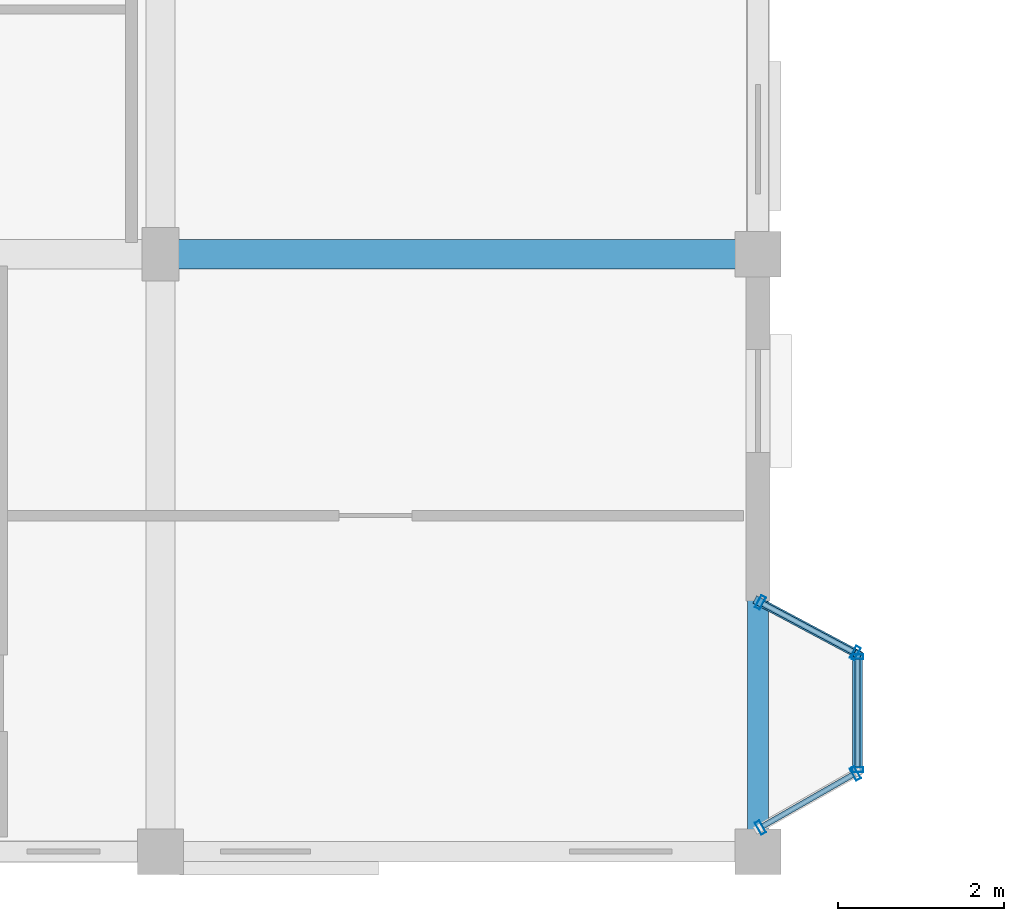
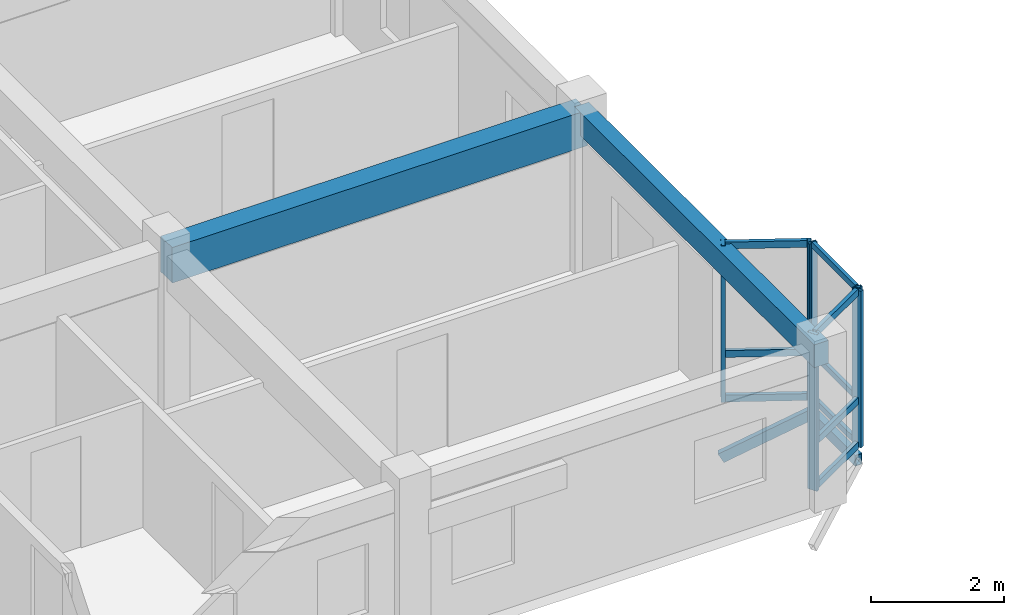
# One storey, part 6 of 77: 17 members, 2 beams, 3 elements without a shape of their own.
"""IFC4 building model written with IfcOpenShell, lengths in metres."""

from ifc_helpers import new_model, si_unit, direction, frame, origin, origin_2d, place, context, subcontext, project, spatial, rectangle, hollow_rectangle, extrude, material, layer, layer_set, material_profile, profile_set, type_object, element, aggregate, save


model = new_model("IFC4")

# Units and contexts
model_context = context("Model", 3, precision=1e-05, world=origin(), true_north=direction((0.0, 1.0)))
body_context = subcontext(model_context, "Body", "Model", "MODEL_VIEW")
ifc_project = project(units=[si_unit("LENGTHUNIT", "METRE"), si_unit("AREAUNIT", "SQUARE_METRE"), si_unit("VOLUMEUNIT", "CUBIC_METRE"), si_unit("PLANEANGLEUNIT", "RADIAN"), si_unit("MASSUNIT", "GRAM", prefix="KILO"), si_unit("THERMODYNAMICTEMPERATUREUNIT", "KELVIN"), si_unit("POWERUNIT", "WATT")], contexts=[model_context])

# Site, building, storey
site_placement = place(None, origin())
site = spatial("IfcSite", under=ifc_project, at=site_placement, CompositionType="ELEMENT")
building_placement = place(site_placement, origin())
building = spatial("IfcBuilding", under=site, at=building_placement, Name="Tavuni Mirador Residences", CompositionType="ELEMENT")
storey_placement = place(building_placement, frame((0.0, 0.0, 10.800048828125)))
storey = spatial("IfcBuildingStorey", under=building, at=storey_placement, Name="L03", CompositionType="ELEMENT", Elevation=10.800048828125)

# Beams
ifc_material_1 = material(Name="Precast concrete C40/50", Category="concrete")
ifc_material_profile_1 = material_profile(ifc_material_1, rectangle(XDim=0.35009765625, YDim=0.64990234375, at=origin_2d()), Name="PC 350x650", Category="concrete")
ifc_profile_set_1 = profile_set([ifc_material_profile_1], Name="Precast concrete C40/50")
beam_type_1 = type_object("IfcBeamType", Name="BT-B650", PredefinedType="BEAM", material=ifc_profile_set_1)
beam_1_placement = place(storey_placement, frame((25.199951171875, 14.39990234375, 2.544921875), z_axis=(1.0, 0.0, 0.0), x_axis=(0.0, 1.0, 0.0)))
element("IfcBeam", 1, at=beam_1_placement, inside=storey, type_object=beam_type_1, Name="BMX-BLK-A-L03-03-01", PredefinedType="BEAM", context=body_context, shape_type="SweptSolid", body=[
    extrude(rectangle(XDim=0.35009765625, YDim=0.64990234375, at=origin_2d()), origin(), (0.0, 0.0, 1.0), 7.199951171875),
])
ifc_material_profile_2 = material_profile(ifc_material_1, rectangle(XDim=0.25, YDim=0.419921875, at=origin_2d()), Name="PC 250x420", Category="concrete")
ifc_profile_set_2 = profile_set([ifc_material_profile_2], Name="Precast concrete C40/50")
beam_type_2 = type_object("IfcBeamType", Name="BT-SP420", PredefinedType="SPANDREL", material=ifc_profile_set_2)
beam_2_placement = place(storey_placement, frame((32.39990234375, 7.199951171875, 2.659912109375), z_axis=(0.0, 1.0, 0.0), x_axis=(-1.0, 0.0, 0.0)))
element("IfcBeam", 2, at=beam_2_placement, inside=storey, type_object=beam_type_2, Name="BMY-BLK-A-L03-04-00", PredefinedType="SPANDREL", context=body_context, shape_type="SweptSolid", body=[
    extrude(rectangle(XDim=0.25, YDim=0.419921875, at=origin_2d()), origin(), (0.0, 0.0, 1.0), 7.199951171875),
])

# Curtain wall, members
ifc_material_2 = material(Name="Anodised aluminium", Category="aluminium")
ifc_layer_1 = layer(ifc_material_2, 0.175048828125, Name="Anodised aluminium", Category="aluminium")
ifc_layer_set_1 = layer_set([ifc_layer_1], Name="Anodised aluminium")
curtain_wall_type_1 = type_object("IfcCurtainWallType", Name="CWT-MIR-C", PredefinedType="NOTDEFINED", material=ifc_layer_set_1)
curtain_wall_1_placement = place(storey_placement, origin())
curtain_wall_1 = element("IfcCurtainWall", 3, at=curtain_wall_1_placement, inside=storey, type_object=curtain_wall_type_1, Name="CW-MIR-A-E1-L03-MF", PredefinedType="NOTDEFINED")
ifc_material_profile_3 = material_profile(ifc_material_2, hollow_rectangle(XDim=0.06005859375, YDim=0.139892578125, WallThickness=0.00390625, at=origin_2d()), Name="ALU 60x140x4.0", Category="aluminium")
ifc_profile_set_3 = profile_set([ifc_material_profile_3], Name="Anodised aluminium")
member_type_1 = type_object("IfcMemberType", Name="CWM-140", PredefinedType="MULLION", material=ifc_profile_set_3)
member_1_placement = place(storey_placement, frame((33.60009765625, 8.18994140625, 0.0), z_axis=(0.0, 0.0, 1.0), x_axis=(0.0, 1.0, 0.0)))
member_1 = element("IfcMember", 4, at=member_1_placement, type_object=member_type_1, Name="CW-03 mullion 1", PredefinedType="MULLION", context=body_context, shape_type="SweptSolid", body=[
    extrude(hollow_rectangle(XDim=0.06005859375, YDim=0.139892578125, WallThickness=0.00390625, at=origin_2d()), origin(), (0.0, 0.0, 1.0), 2.869873046875),
])
member_2_placement = place(storey_placement, frame((33.60009765625, 9.550048828125, 0.0), z_axis=(0.0, 0.0, 1.0), x_axis=(0.0, 1.0, 0.0)))
member_2 = element("IfcMember", 5, at=member_2_placement, type_object=member_type_1, Name="CW-03 mullion 2", PredefinedType="MULLION", context=body_context, shape_type="SweptSolid", body=[
    extrude(hollow_rectangle(XDim=0.06005859375, YDim=0.139892578125, WallThickness=0.00390625, at=origin_2d()), origin(), (0.0, 0.0, 1.0), 2.869873046875),
])

ifc_layer_2 = layer(ifc_material_2, 0.14990234375, Name="Anodised aluminium", Category="aluminium")
ifc_layer_set_2 = layer_set([ifc_layer_2], Name="Anodised aluminium")
curtain_wall_type_2 = type_object("IfcCurtainWallType", Name="CWT-MIR-B", PredefinedType="NOTDEFINED", material=ifc_layer_set_2)
curtain_wall_2_placement = place(storey_placement, origin())
curtain_wall_2 = element("IfcCurtainWall", 6, at=curtain_wall_2_placement, inside=storey, type_object=curtain_wall_type_2, Name="CW-MIR-A-E1-L03-M1", PredefinedType="NOTDEFINED")
ifc_material_profile_4 = material_profile(ifc_material_2, hollow_rectangle(XDim=0.06494140625, YDim=0.1650390625, WallThickness=0.00439453125, at=origin_2d()), Name="ALU 65x165x4.5", Category="aluminium")
ifc_profile_set_4 = profile_set([ifc_material_profile_4], Name="Anodised aluminium")
member_type_2 = type_object("IfcMemberType", Name="CWM-165", PredefinedType="MULLION", material=ifc_profile_set_4)
member_3_placement = place(storey_placement, frame((32.42822265625, 7.4912109375, 0.0), z_axis=(0.0, 0.0, 1.0), x_axis=(0.868465738194, 0.495749192217, 0.0)))
member_3 = element("IfcMember", 7, at=member_3_placement, type_object=member_type_2, Name="CW-02 mullion 1", PredefinedType="MULLION", context=body_context, shape_type="SweptSolid", body=[
    extrude(hollow_rectangle(XDim=0.06494140625, YDim=0.1650390625, WallThickness=0.00439453125, at=origin_2d()), origin(), (0.0, 0.0, 1.0), 2.869873046875),
])
member_4_placement = place(storey_placement, frame((33.57177734375, 8.143798828125, 0.0), z_axis=(0.0, 0.0, 1.0), x_axis=(0.868465738194, 0.495749192217, 0.0)))
member_4 = element("IfcMember", 8, at=member_4_placement, type_object=member_type_2, Name="CW-02 mullion 2", PredefinedType="MULLION", context=body_context, shape_type="SweptSolid", body=[
    extrude(hollow_rectangle(XDim=0.06494140625, YDim=0.1650390625, WallThickness=0.00439453125, at=origin_2d()), origin(), (0.0, 0.0, 1.0), 2.869873046875),
])

ifc_layer_3 = layer(ifc_material_2, 0.159912109375, Name="Anodised aluminium", Category="aluminium")
ifc_layer_set_3 = layer_set([ifc_layer_3], Name="Anodised aluminium")
curtain_wall_type_3 = type_object("IfcCurtainWallType", Name="CWT-MIR-D", PredefinedType="NOTDEFINED", material=ifc_layer_set_3)
curtain_wall_3_placement = place(storey_placement, origin())
curtain_wall_3 = element("IfcCurtainWall", 9, at=curtain_wall_3_placement, inside=storey, type_object=curtain_wall_type_3, Name="CW-MIR-A-E1-L03-M2", PredefinedType="NOTDEFINED")
member_5_placement = place(storey_placement, frame((33.5712890625, 9.59521484375, 0.0), z_axis=(0.0, 0.0, 1.0), x_axis=(-0.882352941175, 0.470588235296, 0.0)))
member_5 = element("IfcMember", 10, at=member_5_placement, type_object=member_type_2, Name="CW-04 mullion 1", PredefinedType="MULLION", context=body_context, shape_type="SweptSolid", body=[
    extrude(hollow_rectangle(XDim=0.06494140625, YDim=0.1650390625, WallThickness=0.00439453125, at=origin_2d()), origin(), (0.0, 0.0, 1.0), 2.869873046875),
])
member_6_placement = place(storey_placement, frame((32.4287109375, 10.20458984375, 0.0), z_axis=(0.0, 0.0, 1.0), x_axis=(-0.882352941175, 0.470588235296, 0.0)))
member_6 = element("IfcMember", 11, at=member_6_placement, type_object=member_type_2, Name="CW-04 mullion 2", PredefinedType="MULLION", context=body_context, shape_type="SweptSolid", body=[
    extrude(hollow_rectangle(XDim=0.06494140625, YDim=0.1650390625, WallThickness=0.00439453125, at=origin_2d()), origin(), (0.0, 0.0, 1.0), 2.869873046875),
])

# Member
ifc_material_profile_5 = material_profile(ifc_material_2, hollow_rectangle(XDim=0.06005859375, YDim=0.110107421875, WallThickness=0.00390625, at=origin_2d()), Name="ALU 60x110x4.0", Category="aluminium")
ifc_profile_set_5 = profile_set([ifc_material_profile_5], Name="Anodised aluminium")
member_type_3 = type_object("IfcMemberType", Name="CWT-110", PredefinedType="USERDEFINED", material=ifc_profile_set_5)
member_7_placement = place(storey_placement, frame((33.60009765625, 8.219970703125, 0.030029296875), z_axis=(0.0, 1.0, 0.0), x_axis=(-1.0, 0.0, 0.0)))
member_7 = element("IfcMember", 12, at=member_7_placement, type_object=member_type_3, Name="CW-03 transom 1.1", ObjectType="TRANSOM", PredefinedType="USERDEFINED", context=body_context, shape_type="SweptSolid", body=[
    extrude(hollow_rectangle(XDim=0.06005859375, YDim=0.110107421875, WallThickness=0.00390625, at=origin_2d()), origin(), (0.0, 0.0, 1.0), 1.300048828125),
])

member_8_placement = place(storey_placement, frame((33.60009765625, 8.219970703125, 0.849853515625), z_axis=(0.0, 1.0, 0.0), x_axis=(-1.0, 0.0, 0.0)))
member_8 = element("IfcMember", 13, at=member_8_placement, type_object=member_type_3, Name="CW-03 transom 1.2", ObjectType="TRANSOM", PredefinedType="USERDEFINED", context=body_context, shape_type="SweptSolid", body=[
    extrude(hollow_rectangle(XDim=0.06005859375, YDim=0.110107421875, WallThickness=0.00390625, at=origin_2d()), origin(), (0.0, 0.0, 1.0), 1.300048828125),
])

member_9_placement = place(storey_placement, frame((33.60009765625, 8.219970703125, 2.83984375), z_axis=(0.0, 1.0, 0.0), x_axis=(-1.0, 0.0, 0.0)))
member_9 = element("IfcMember", 14, at=member_9_placement, type_object=member_type_3, Name="CW-03 transom 1.3", ObjectType="TRANSOM", PredefinedType="USERDEFINED", context=body_context, shape_type="SweptSolid", body=[
    extrude(hollow_rectangle(XDim=0.06005859375, YDim=0.110107421875, WallThickness=0.00390625, at=origin_2d()), origin(), (0.0, 0.0, 1.0), 1.300048828125),
])

aggregate(curtain_wall_1, [member_1, member_2, member_7, member_8, member_9])

ifc_material_profile_6 = material_profile(ifc_material_2, hollow_rectangle(XDim=0.06494140625, YDim=0.125, WallThickness=0.00439453125, at=origin_2d()), Name="ALU 65x125x4.5", Category="aluminium")
ifc_profile_set_6 = profile_set([ifc_material_profile_6], Name="Anodised aluminium")
member_type_4 = type_object("IfcMemberType", Name="CWT-125", PredefinedType="USERDEFINED", material=ifc_profile_set_6)
member_10_placement = place(storey_placement, frame((32.45654296875, 7.50732421875, 0.032470703125), z_axis=(0.868495133122, 0.495697693905, 0.0), x_axis=(-0.495697693905, 0.868495133122, 0.0)))
member_10 = element("IfcMember", 15, at=member_10_placement, type_object=member_type_4, Name="CW-02 transom 1.1", ObjectType="TRANSOM", PredefinedType="USERDEFINED", context=body_context, shape_type="SweptSolid", body=[
    extrude(hollow_rectangle(XDim=0.06494140625, YDim=0.125, WallThickness=0.00439453125, at=origin_2d()), origin(), (0.0, 0.0, 1.0), 1.25146484375),
])

member_11_placement = place(storey_placement, frame((32.45654296875, 7.50732421875, 0.849853515625), z_axis=(0.868495133122, 0.495697693905, 0.0), x_axis=(-0.495697693905, 0.868495133122, 0.0)))
member_11 = element("IfcMember", 16, at=member_11_placement, type_object=member_type_4, Name="CW-02 transom 1.2", ObjectType="TRANSOM", PredefinedType="USERDEFINED", context=body_context, shape_type="SweptSolid", body=[
    extrude(hollow_rectangle(XDim=0.06494140625, YDim=0.125, WallThickness=0.00439453125, at=origin_2d()), origin(), (0.0, 0.0, 1.0), 1.25146484375),
])

member_12_placement = place(storey_placement, frame((32.45654296875, 7.50732421875, 2.83740234375), z_axis=(0.868495133122, 0.495697693905, 0.0), x_axis=(-0.495697693905, 0.868495133122, 0.0)))
member_12 = element("IfcMember", 17, at=member_12_placement, type_object=member_type_4, Name="CW-02 transom 1.3", ObjectType="TRANSOM", PredefinedType="USERDEFINED", context=body_context, shape_type="SweptSolid", body=[
    extrude(hollow_rectangle(XDim=0.06494140625, YDim=0.125, WallThickness=0.00439453125, at=origin_2d()), origin(), (0.0, 0.0, 1.0), 1.25146484375),
])

aggregate(curtain_wall_2, [member_3, member_4, member_10, member_11, member_12])

member_13_placement = place(storey_placement, frame((33.542724609375, 9.610595703125, 0.032470703125), z_axis=(-0.882369422046, 0.47055733236, 0.0), x_axis=(-0.47055733236, -0.882369422046, 0.0)))
member_13 = element("IfcMember", 18, at=member_13_placement, type_object=member_type_4, Name="CW-04 transom 1.1", ObjectType="TRANSOM", PredefinedType="USERDEFINED", context=body_context, shape_type="SweptSolid", body=[
    extrude(hollow_rectangle(XDim=0.06494140625, YDim=0.125, WallThickness=0.00439453125, at=origin_2d()), origin(), (0.0, 0.0, 1.0), 1.230224609375),
])

member_14_placement = place(storey_placement, frame((33.542724609375, 9.610595703125, 0.849853515625), z_axis=(-0.882369422046, 0.47055733236, 0.0), x_axis=(-0.47055733236, -0.882369422046, 0.0)))
member_14 = element("IfcMember", 19, at=member_14_placement, type_object=member_type_4, Name="CW-04 transom 1.2", ObjectType="TRANSOM", PredefinedType="USERDEFINED", context=body_context, shape_type="SweptSolid", body=[
    extrude(hollow_rectangle(XDim=0.06494140625, YDim=0.125, WallThickness=0.00439453125, at=origin_2d()), origin(), (0.0, 0.0, 1.0), 1.230224609375),
])

member_15_placement = place(storey_placement, frame((33.542724609375, 9.610595703125, 2.83740234375), z_axis=(-0.882369422046, 0.47055733236, 0.0), x_axis=(-0.47055733236, -0.882369422046, 0.0)))
member_15 = element("IfcMember", 20, at=member_15_placement, type_object=member_type_4, Name="CW-04 transom 1.3", ObjectType="TRANSOM", PredefinedType="USERDEFINED", context=body_context, shape_type="SweptSolid", body=[
    extrude(hollow_rectangle(XDim=0.06494140625, YDim=0.125, WallThickness=0.00439453125, at=origin_2d()), origin(), (0.0, 0.0, 1.0), 1.230224609375),
])

aggregate(curtain_wall_3, [member_5, member_6, member_13, member_14, member_15])

# Members
ifc_material_3 = material(Name="Structural steel S355", Category="steel")
ifc_material_profile_7 = material_profile(ifc_material_3, hollow_rectangle(XDim=0.10009765625, YDim=0.179931640625, WallThickness=0.008056640625, at=origin_2d()), Name="RHS 180x100x8.0", Category="steel")
ifc_profile_set_7 = profile_set([ifc_material_profile_7], Name="Structural steel S355")
member_type_5 = type_object("IfcMemberType", Name="MT-BR-RHS180", PredefinedType="BRACE", material=ifc_profile_set_7)
member_16_placement = place(storey_placement, frame((32.39990234375, 10.219970703125, -1.050048828125), z_axis=(0.767896193149, -0.409409260017, 0.492665702439), x_axis=(0.470467115558, 0.882417527692, 0.0)))
element("IfcMember", 21, at=member_16_placement, inside=storey, type_object=member_type_5, Name="MBRK-MIR-A-E1-L03-2", PredefinedType="BRACE", context=body_context, shape_type="SweptSolid", body=[
    extrude(hollow_rectangle(XDim=0.10009765625, YDim=0.179931640625, WallThickness=0.008056640625, at=origin_2d()), origin(), (0.0, 0.0, 1.0), 1.56298828125),
])
ifc_material_profile_8 = material_profile(ifc_material_3, hollow_rectangle(XDim=0.1201171875, YDim=0.199951171875, WallThickness=0.010009765625, at=origin_2d()), Name="RHS 200x120x10.0", Category="steel")
ifc_profile_set_8 = profile_set([ifc_material_profile_8], Name="Structural steel S355")
member_type_6 = type_object("IfcMemberType", Name="MT-ST-RHS200", PredefinedType="STRUT", material=ifc_profile_set_8)
member_17_placement = place(storey_placement, frame((33.60009765625, 8.159912109375, -0.280029296875), z_axis=(0.0, 1.0, 0.0), x_axis=(-1.0, 0.0, 0.0)))
element("IfcMember", 22, at=member_17_placement, inside=storey, type_object=member_type_6, Name="MRIM-MIR-A-E1-L03", PredefinedType="STRUT", context=body_context, shape_type="SweptSolid", body=[
    extrude(hollow_rectangle(XDim=0.1201171875, YDim=0.199951171875, WallThickness=0.010009765625, at=origin_2d()), origin(), (0.0, 0.0, 1.0), 1.420166015625),
])

save(model, "model.ifc")
